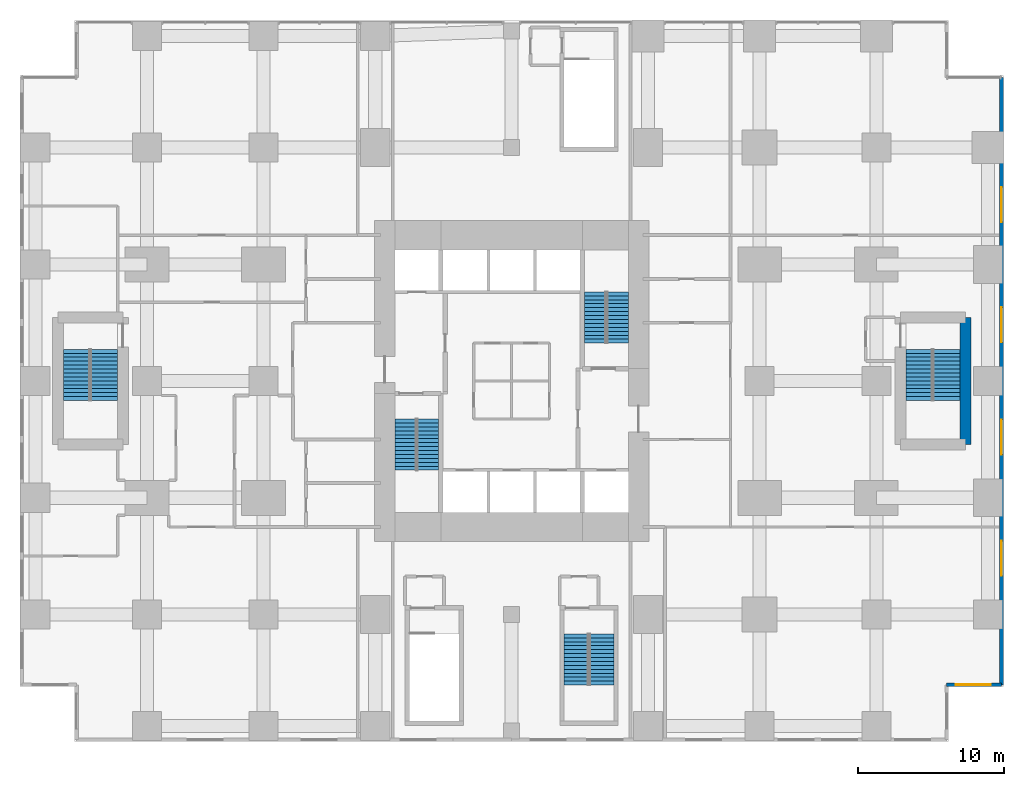
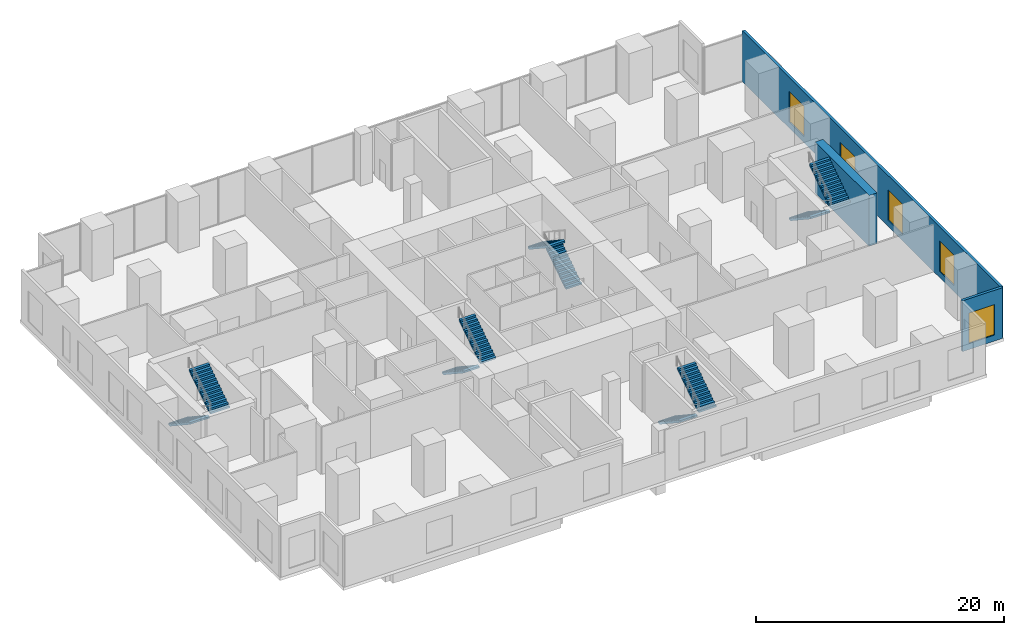
# One storey, part 10 of 11: 10 stair flights, 5 windows, 3 walls, 5 openings, 5 elements without a shape of their own.
"""IFC4 building model written with IfcOpenShell, lengths in metres."""

from ifc_helpers import new_model, si_unit, direction, frame, frame_2d, origin, place, context, subcontext, project, spatial, polyline, rectangle, outline, extrude, material, layer, layer_set, type_object, element, fill, aggregate, save


model = new_model("IFC4")

# Units and contexts
model_context = context("Model", 3, precision=1e-05, world=origin(), true_north=direction((0.0, 1.0)))
body_context = subcontext(model_context, "Body", "Model", "MODEL_VIEW")
ifc_project = project(units=[si_unit("LENGTHUNIT", "METRE"), si_unit("AREAUNIT", "SQUARE_METRE"), si_unit("VOLUMEUNIT", "CUBIC_METRE"), si_unit("PLANEANGLEUNIT", "RADIAN"), si_unit("MASSUNIT", "GRAM", prefix="KILO")], contexts=[model_context])

# Site, building, storey
site_placement = place(None, origin())
site = spatial("IfcSite", under=ifc_project, at=site_placement, CompositionType="ELEMENT")
building_placement = place(site_placement, origin())
building = spatial("IfcBuilding", under=site, at=building_placement, Name="Cleftline Residences", CompositionType="ELEMENT")
storey_placement = place(building_placement, frame((0.0, 0.0, 21.0)))
storey = spatial("IfcBuildingStorey", under=building, at=storey_placement, Name="L04", CompositionType="ELEMENT", Elevation=21.0)

# Wall, opening, window
ifc_material_1 = material(Name="Rendered reinforced concrete blockwork", Category="masonry")
ifc_layer_1 = layer(ifc_material_1, 0.25)
ifc_layer_set_1 = layer_set([ifc_layer_1], Name="EXTERNAL WALL 250")
wall_type_1 = type_object("IfcWallType", Name="EXTERNAL WALL 250", PredefinedType="SOLIDWALL", material=ifc_layer_set_1)
wall_1_placement = place(storey_placement, frame((62.824951171875, 3.175048828125, 0.0), z_axis=(0.0, 0.0, 1.0), x_axis=(1.0, 0.0, 0.0)))
wall_1 = element("IfcWall", 1, at=wall_1_placement, inside=storey, type_object=wall_type_1, Name="External wall", PredefinedType="SOLIDWALL", context=body_context, shape_type="SweptSolid", body=[
    extrude(rectangle(XDim=3.75, YDim=0.25, at=frame_2d((1.875, 0.0))), origin(), (0.0, 0.0, 1.0), 5.0),
])
opening_1_placement = place(wall_1_placement, frame((0.612548828125, 0.0, 0.60009765625)))
opening_1 = element("IfcOpeningElement", 2, at=opening_1_placement, cuts=wall_1, Name="Opening W3", PredefinedType="OPENING", context=body_context, shape_type="SweptSolid", body=[
    extrude(rectangle(XDim=2.39990234375, YDim=3.0, at=frame_2d((1.199951171875, 1.5))), frame((0.0, 0.135009765625, 0.0), z_axis=(0.0, -1.0, 0.0), x_axis=(1.0, 0.0, 0.0)), (0.0, 0.0, 1.0), 0.27001953125),
])
ifc_material_2 = material(Name="Aluminium frame, clear double glazing", Category="aluminium")
window_type = type_object("IfcWindowType", Name="WINDOW 2400X3000", PartitioningType="DOUBLE_PANEL_VERTICAL", PredefinedType="WINDOW", material=ifc_material_2)
window_1_placement = place(opening_1_placement, origin())
window_1 = element("IfcWindow", 3, at=window_1_placement, inside=storey, type_object=window_type, Name="Window", OverallHeight=3.0, OverallWidth=2.39990234375, PartitioningType="SINGLE_PANEL", PredefinedType="WINDOW", context=body_context, shape_type="SweptSolid", body=[
    extrude(rectangle(XDim=2.39990234375, YDim=3.0, at=frame_2d((1.199951171875, 1.5))), frame((0.0, 0.030029296875, 0.0), z_axis=(0.0, -1.0, 0.0), x_axis=(1.0, 0.0, 0.0)), (0.0, 0.0, 1.0), 0.06005859375),
])
fill(opening_1, window_1)

# Wall, openings, windows
wall_2_placement = place(storey_placement, frame((66.574951171875, 3.175048828125, 0.0), z_axis=(0.0, 0.0, 1.0), x_axis=(0.0, 1.0, 0.0)))
wall_2 = element("IfcWall", 4, at=wall_2_placement, inside=storey, type_object=wall_type_1, Name="External wall", PredefinedType="SOLIDWALL", context=body_context, shape_type="SweptSolid", body=[
    extrude(rectangle(XDim=41.64990234375, YDim=0.25, at=frame_2d((20.824951171875, 0.0))), origin(), (0.0, 0.0, 1.0), 5.0),
])
opening_2_placement = place(wall_2_placement, frame((7.47509765625, 0.0, 0.60009765625)))
opening_2 = element("IfcOpeningElement", 5, at=opening_2_placement, cuts=wall_2, Name="Opening W3", PredefinedType="OPENING", context=body_context, shape_type="SweptSolid", body=[
    extrude(rectangle(XDim=2.39990234375, YDim=3.0, at=frame_2d((1.199951171875, 1.5))), frame((0.0, 0.135009765625, 0.0), z_axis=(0.0, -1.0, 0.0), x_axis=(1.0, 0.0, 0.0)), (0.0, 0.0, 1.0), 0.27001953125),
])
opening_3_placement = place(wall_2_placement, frame((15.77490234375, 0.0, 0.60009765625)))
opening_3 = element("IfcOpeningElement", 6, at=opening_3_placement, cuts=wall_2, Name="Opening W3", PredefinedType="OPENING", context=body_context, shape_type="SweptSolid", body=[
    extrude(rectangle(XDim=2.39990234375, YDim=3.0, at=frame_2d((1.199951171875, 1.5))), frame((0.0, 0.135009765625, 0.0), z_axis=(0.0, -1.0, 0.0), x_axis=(1.0, 0.0, 0.0)), (0.0, 0.0, 1.0), 0.27001953125),
])
opening_4_placement = place(wall_2_placement, frame((23.47509765625, 0.0, 0.60009765625)))
opening_4 = element("IfcOpeningElement", 7, at=opening_4_placement, cuts=wall_2, Name="Opening W3", PredefinedType="OPENING", context=body_context, shape_type="SweptSolid", body=[
    extrude(rectangle(XDim=2.39990234375, YDim=3.0, at=frame_2d((1.199951171875, 1.5))), frame((0.0, 0.135009765625, 0.0), z_axis=(0.0, -1.0, 0.0), x_axis=(1.0, 0.0, 0.0)), (0.0, 0.0, 1.0), 0.27001953125),
])
opening_5_placement = place(wall_2_placement, frame((31.72509765625, 0.0, 0.60009765625)))
opening_5 = element("IfcOpeningElement", 8, at=opening_5_placement, cuts=wall_2, Name="Opening W3", PredefinedType="OPENING", context=body_context, shape_type="SweptSolid", body=[
    extrude(rectangle(XDim=2.39990234375, YDim=3.0, at=frame_2d((1.199951171875, 1.5))), frame((0.0, 0.135009765625, 0.0), z_axis=(0.0, -1.0, 0.0), x_axis=(1.0, 0.0, 0.0)), (0.0, 0.0, 1.0), 0.27001953125),
])
window_2_placement = place(opening_2_placement, origin())
window_2 = element("IfcWindow", 9, at=window_2_placement, inside=storey, type_object=window_type, Name="Window", OverallHeight=3.0, OverallWidth=2.39990234375, PartitioningType="SINGLE_PANEL", PredefinedType="WINDOW", context=body_context, shape_type="SweptSolid", body=[
    extrude(rectangle(XDim=2.39990234375, YDim=3.0, at=frame_2d((1.199951171875, 1.5))), frame((0.0, 0.030029296875, 0.0), z_axis=(0.0, -1.0, 0.0), x_axis=(1.0, 0.0, 0.0)), (0.0, 0.0, 1.0), 0.06005859375),
])
fill(opening_2, window_2)
window_3_placement = place(opening_3_placement, origin())
window_3 = element("IfcWindow", 10, at=window_3_placement, inside=storey, type_object=window_type, Name="Window", OverallHeight=3.0, OverallWidth=2.39990234375, PartitioningType="SINGLE_PANEL", PredefinedType="WINDOW", context=body_context, shape_type="SweptSolid", body=[
    extrude(rectangle(XDim=2.39990234375, YDim=3.0, at=frame_2d((1.199951171875, 1.5))), frame((0.0, 0.030029296875, 0.0), z_axis=(0.0, -1.0, 0.0), x_axis=(1.0, 0.0, 0.0)), (0.0, 0.0, 1.0), 0.06005859375),
])
fill(opening_3, window_3)
window_4_placement = place(opening_4_placement, origin())
window_4 = element("IfcWindow", 11, at=window_4_placement, inside=storey, type_object=window_type, Name="Window", OverallHeight=3.0, OverallWidth=2.39990234375, PartitioningType="SINGLE_PANEL", PredefinedType="WINDOW", context=body_context, shape_type="SweptSolid", body=[
    extrude(rectangle(XDim=2.39990234375, YDim=3.0, at=frame_2d((1.199951171875, 1.5))), frame((0.0, 0.030029296875, 0.0), z_axis=(0.0, -1.0, 0.0), x_axis=(1.0, 0.0, 0.0)), (0.0, 0.0, 1.0), 0.06005859375),
])
fill(opening_4, window_4)
window_5_placement = place(opening_5_placement, origin())
window_5 = element("IfcWindow", 12, at=window_5_placement, inside=storey, type_object=window_type, Name="Window", OverallHeight=3.0, OverallWidth=2.39990234375, PartitioningType="SINGLE_PANEL", PredefinedType="WINDOW", context=body_context, shape_type="SweptSolid", body=[
    extrude(rectangle(XDim=2.39990234375, YDim=3.0, at=frame_2d((1.199951171875, 1.5))), frame((0.0, 0.030029296875, 0.0), z_axis=(0.0, -1.0, 0.0), x_axis=(1.0, 0.0, 0.0)), (0.0, 0.0, 1.0), 0.06005859375),
])
fill(opening_5, window_5)

# Wall
ifc_material_3 = material(Name="Concrete B70", Category="concrete")
ifc_layer_2 = layer(ifc_material_3, 0.75)
ifc_layer_set_2 = layer_set([ifc_layer_2], Name="SHEAR WALL 750")
wall_type_2 = type_object("IfcWallType", Name="SHEAR WALL 750", PredefinedType="SHEAR", material=ifc_layer_set_2)
wall_3_placement = place(storey_placement, frame((64.10009765625, 19.64990234375, 0.0), z_axis=(0.0, 0.0, 1.0), x_axis=(0.0, 1.0, 0.0)))
element("IfcWall", 13, at=wall_3_placement, inside=storey, type_object=wall_type_2, Name="Wing shear wall", PredefinedType="SHEAR", context=body_context, shape_type="SweptSolid", body=[
    extrude(rectangle(XDim=8.7001953125, YDim=0.75, at=frame_2d((4.35009765625, 0.0))), origin(), (0.0, 0.0, 1.0), 5.0),
])

# Stair, stair flights
ifc_material_4 = material(Name="Concrete B45, stone treads", Category="masonry")
stair_type_1 = type_object("IfcStairType", Name="STAIR A 1450 WIDE 179 RISER", PredefinedType="HALF_TURN_STAIR", material=ifc_material_4)
stair_1_placement = place(storey_placement, origin())
stair_1 = element("IfcStair", 14, at=stair_1_placement, inside=storey, type_object=stair_type_1, Name="Stair A L04", PredefinedType="HALF_TURN_STAIR")
ifc_material_5 = material(Name="Concrete B45", Category="concrete")
stair_flight_type_1 = type_object("IfcStairFlightType", Name="STAIR A FLIGHT 1450X179", PredefinedType="STRAIGHT", material=ifc_material_5)
stair_flight_1_placement = place(storey_placement, frame((25.72509765625, 21.39990234375, 0.0), z_axis=(0.0, 0.0, 1.0), x_axis=(0.0, -1.0, 0.0)))
stair_flight_1 = element("IfcStairFlight", 15, at=stair_flight_1_placement, type_object=stair_flight_type_1, Name="ST-A flight 1", NumberOfRisers=14, NumberOfTreads=13, PredefinedType="STRAIGHT", RiserHeight=0.178571429, TreadLength=0.27, context=body_context, shape_type="SweptSolid", body=[
    extrude(outline(polyline([(0.0, 0.0), (0.0, 0.013671875), (0.0, 0.027587890625), (0.0, 0.041259765625), (0.0, 0.054931640625), (0.0, 0.068603515625), (0.0, 0.08251953125), (0.0, 0.09619140625), (0.0, 0.10986328125), (0.0, 0.12353515625), (0.0, 0.137451171875), (0.0, 0.151123046875), (0.0, 0.164794921875), (0.0, 0.178466796875), (0.27001953125, 0.178466796875), (0.27001953125, 0.357177734375), (0.5400390625, 0.357177734375), (0.5400390625, 0.53564453125), (0.81005859375, 0.53564453125), (0.81005859375, 0.71435546875), (1.080078125, 0.71435546875), (1.080078125, 0.892822265625), (1.35009765625, 0.892822265625), (1.35009765625, 1.071533203125), (1.6201171875, 1.071533203125), (1.6201171875, 1.25), (1.889892578125, 1.25), (1.889892578125, 1.428466796875), (2.159912109375, 1.428466796875), (2.159912109375, 1.607177734375), (2.429931640625, 1.607177734375), (2.429931640625, 1.78564453125), (2.699951171875, 1.78564453125), (2.699951171875, 1.96435546875), (2.969970703125, 1.96435546875), (2.969970703125, 2.142822265625), (3.239990234375, 2.142822265625), (3.239990234375, 2.321533203125), (3.510009765625, 2.321533203125), (3.510009765625, 2.5), (3.510009765625, 2.472412109375), (3.510009765625, 2.44482421875), (3.510009765625, 2.417236328125), (3.510009765625, 2.3896484375), (3.510009765625, 2.3623046875), (3.510009765625, 2.334716796875), (3.510009765625, 2.30712890625), (3.510009765625, 2.279541015625), (3.510009765625, 2.251953125), (3.510009765625, 2.224365234375), (3.510009765625, 2.19677734375), (3.510009765625, 2.169189453125), (3.510009765625, 2.1416015625), (0.271728515625, 0.0), (0.0, 0.0)])), frame((0.0, 0.72509765625, 0.0), z_axis=(0.0, -1.0, 0.0), x_axis=(1.0, 0.0, 0.0)), (0.0, 0.0, 1.0), 1.449951171875),
])
stair_flight_2_placement = place(storey_placement, frame((27.27490234375, 17.889892578125, 2.5), z_axis=(0.0, 0.0, 1.0), x_axis=(0.0, 1.0, 0.0)))
stair_flight_2 = element("IfcStairFlight", 16, at=stair_flight_2_placement, type_object=stair_flight_type_1, Name="ST-A flight 2", NumberOfRisers=14, NumberOfTreads=13, PredefinedType="STRAIGHT", RiserHeight=0.178571429, TreadLength=0.27, context=body_context, shape_type="SweptSolid", body=[
    extrude(outline(polyline([(0.0, 0.0), (0.0, 0.013671875), (0.0, 0.027587890625), (0.0, 0.041259765625), (0.0, 0.054931640625), (0.0, 0.068603515625), (0.0, 0.08251953125), (0.0, 0.09619140625), (0.0, 0.10986328125), (0.0, 0.12353515625), (0.0, 0.137451171875), (0.0, 0.151123046875), (0.0, 0.164794921875), (0.0, 0.178466796875), (0.27001953125, 0.178466796875), (0.27001953125, 0.357177734375), (0.5400390625, 0.357177734375), (0.5400390625, 0.53564453125), (0.81005859375, 0.53564453125), (0.81005859375, 0.71435546875), (1.080078125, 0.71435546875), (1.080078125, 0.892822265625), (1.35009765625, 0.892822265625), (1.35009765625, 1.071533203125), (1.6201171875, 1.071533203125), (1.6201171875, 1.25), (1.889892578125, 1.25), (1.889892578125, 1.428466796875), (2.159912109375, 1.428466796875), (2.159912109375, 1.607177734375), (2.429931640625, 1.607177734375), (2.429931640625, 1.78564453125), (2.699951171875, 1.78564453125), (2.699951171875, 1.96435546875), (2.969970703125, 1.96435546875), (2.969970703125, 2.142822265625), (3.239990234375, 2.142822265625), (3.239990234375, 2.321533203125), (3.510009765625, 2.321533203125), (3.510009765625, 2.5), (3.510009765625, 2.472412109375), (3.510009765625, 2.44482421875), (3.510009765625, 2.417236328125), (3.510009765625, 2.3896484375), (3.510009765625, 2.3623046875), (3.510009765625, 2.334716796875), (3.510009765625, 2.30712890625), (3.510009765625, 2.279541015625), (3.510009765625, 2.251953125), (3.510009765625, 2.224365234375), (3.510009765625, 2.19677734375), (3.510009765625, 2.169189453125), (3.510009765625, 2.1416015625), (0.271728515625, 0.0), (0.0, 0.0)])), frame((0.0, 0.72509765625, 0.0), z_axis=(0.0, -1.0, 0.0), x_axis=(1.0, 0.0, 0.0)), (0.0, 0.0, 1.0), 1.449951171875),
])
aggregate(stair_1, [stair_flight_1, stair_flight_2])

ifc_material_6 = material(Name="Concrete B45, stone treads", Category="masonry")
stair_type_2 = type_object("IfcStairType", Name="STAIR B 1450 WIDE 179 RISER", PredefinedType="HALF_TURN_STAIR", material=ifc_material_6)
stair_2_placement = place(storey_placement, origin())
stair_2 = element("IfcStair", 17, at=stair_2_placement, inside=storey, type_object=stair_type_2, Name="Stair B L04", PredefinedType="HALF_TURN_STAIR")
ifc_material_7 = material(Name="Concrete B45", Category="concrete")
stair_flight_type_2 = type_object("IfcStairFlightType", Name="STAIR B FLIGHT 1450X179", PredefinedType="STRAIGHT", material=ifc_material_7)
stair_flight_3_placement = place(storey_placement, frame((40.27490234375, 26.60009765625, 0.0), z_axis=(0.0, 0.0, 1.0), x_axis=(0.0, 1.0, 0.0)))
stair_flight_3 = element("IfcStairFlight", 18, at=stair_flight_3_placement, type_object=stair_flight_type_2, Name="ST-B flight 1", NumberOfRisers=14, NumberOfTreads=13, PredefinedType="STRAIGHT", RiserHeight=0.178571429, TreadLength=0.27, context=body_context, shape_type="SweptSolid", body=[
    extrude(outline(polyline([(0.0, 0.0), (0.0, 0.013671875), (0.0, 0.027587890625), (0.0, 0.041259765625), (0.0, 0.054931640625), (0.0, 0.068603515625), (0.0, 0.08251953125), (0.0, 0.09619140625), (0.0, 0.10986328125), (0.0, 0.12353515625), (0.0, 0.137451171875), (0.0, 0.151123046875), (0.0, 0.164794921875), (0.0, 0.178466796875), (0.27001953125, 0.178466796875), (0.27001953125, 0.357177734375), (0.5400390625, 0.357177734375), (0.5400390625, 0.53564453125), (0.81005859375, 0.53564453125), (0.81005859375, 0.71435546875), (1.080078125, 0.71435546875), (1.080078125, 0.892822265625), (1.35009765625, 0.892822265625), (1.35009765625, 1.071533203125), (1.6201171875, 1.071533203125), (1.6201171875, 1.25), (1.889892578125, 1.25), (1.889892578125, 1.428466796875), (2.159912109375, 1.428466796875), (2.159912109375, 1.607177734375), (2.429931640625, 1.607177734375), (2.429931640625, 1.78564453125), (2.699951171875, 1.78564453125), (2.699951171875, 1.96435546875), (2.969970703125, 1.96435546875), (2.969970703125, 2.142822265625), (3.239990234375, 2.142822265625), (3.239990234375, 2.321533203125), (3.510009765625, 2.321533203125), (3.510009765625, 2.5), (3.510009765625, 2.472412109375), (3.510009765625, 2.44482421875), (3.510009765625, 2.417236328125), (3.510009765625, 2.3896484375), (3.510009765625, 2.3623046875), (3.510009765625, 2.334716796875), (3.510009765625, 2.30712890625), (3.510009765625, 2.279541015625), (3.510009765625, 2.251953125), (3.510009765625, 2.224365234375), (3.510009765625, 2.19677734375), (3.510009765625, 2.169189453125), (3.510009765625, 2.1416015625), (0.271728515625, 0.0), (0.0, 0.0)])), frame((0.0, 0.72509765625, 0.0), z_axis=(0.0, -1.0, 0.0), x_axis=(1.0, 0.0, 0.0)), (0.0, 0.0, 1.0), 1.449951171875),
])
stair_flight_4_placement = place(storey_placement, frame((38.72509765625, 30.110107421875, 2.5), z_axis=(0.0, 0.0, 1.0), x_axis=(0.0, -1.0, 0.0)))
stair_flight_4 = element("IfcStairFlight", 19, at=stair_flight_4_placement, type_object=stair_flight_type_2, Name="ST-B flight 2", NumberOfRisers=14, NumberOfTreads=13, PredefinedType="STRAIGHT", RiserHeight=0.178571429, TreadLength=0.27, context=body_context, shape_type="SweptSolid", body=[
    extrude(outline(polyline([(0.0, 0.0), (0.0, 0.013671875), (0.0, 0.027587890625), (0.0, 0.041259765625), (0.0, 0.054931640625), (0.0, 0.068603515625), (0.0, 0.08251953125), (0.0, 0.09619140625), (0.0, 0.10986328125), (0.0, 0.12353515625), (0.0, 0.137451171875), (0.0, 0.151123046875), (0.0, 0.164794921875), (0.0, 0.178466796875), (0.27001953125, 0.178466796875), (0.27001953125, 0.357177734375), (0.5400390625, 0.357177734375), (0.5400390625, 0.53564453125), (0.81005859375, 0.53564453125), (0.81005859375, 0.71435546875), (1.080078125, 0.71435546875), (1.080078125, 0.892822265625), (1.35009765625, 0.892822265625), (1.35009765625, 1.071533203125), (1.6201171875, 1.071533203125), (1.6201171875, 1.25), (1.889892578125, 1.25), (1.889892578125, 1.428466796875), (2.159912109375, 1.428466796875), (2.159912109375, 1.607177734375), (2.429931640625, 1.607177734375), (2.429931640625, 1.78564453125), (2.699951171875, 1.78564453125), (2.699951171875, 1.96435546875), (2.969970703125, 1.96435546875), (2.969970703125, 2.142822265625), (3.239990234375, 2.142822265625), (3.239990234375, 2.321533203125), (3.510009765625, 2.321533203125), (3.510009765625, 2.5), (3.510009765625, 2.472412109375), (3.510009765625, 2.44482421875), (3.510009765625, 2.417236328125), (3.510009765625, 2.3896484375), (3.510009765625, 2.3623046875), (3.510009765625, 2.334716796875), (3.510009765625, 2.30712890625), (3.510009765625, 2.279541015625), (3.510009765625, 2.251953125), (3.510009765625, 2.224365234375), (3.510009765625, 2.19677734375), (3.510009765625, 2.169189453125), (3.510009765625, 2.1416015625), (0.271728515625, 0.0), (0.0, 0.0)])), frame((0.0, 0.72509765625, 0.0), z_axis=(0.0, -1.0, 0.0), x_axis=(1.0, 0.0, 0.0)), (0.0, 0.0, 1.0), 1.449951171875),
])
aggregate(stair_2, [stair_flight_3, stair_flight_4])

ifc_material_8 = material(Name="Concrete B45, stone treads", Category="masonry")
stair_type_3 = type_object("IfcStairType", Name="STAIR C2 1630 WIDE 179 RISER", PredefinedType="HALF_TURN_STAIR", material=ifc_material_8)
stair_3_placement = place(storey_placement, origin())
stair_3 = element("IfcStair", 20, at=stair_3_placement, inside=storey, type_object=stair_type_3, Name="Stair C2 L04", PredefinedType="HALF_TURN_STAIR")
ifc_material_9 = material(Name="Concrete B45", Category="concrete")
stair_flight_type_3 = type_object("IfcStairFlightType", Name="STAIR C2 FLIGHT 1630X179", PredefinedType="STRAIGHT", material=ifc_material_9)
stair_flight_5_placement = place(storey_placement, frame((37.4150390625, 6.669921875, 0.0), z_axis=(0.0, 0.0, 1.0), x_axis=(0.0, -1.0, 0.0)))
stair_flight_5 = element("IfcStairFlight", 21, at=stair_flight_5_placement, type_object=stair_flight_type_3, Name="ST-C2 flight 1", NumberOfRisers=14, NumberOfTreads=13, PredefinedType="STRAIGHT", RiserHeight=0.178571429, TreadLength=0.27, context=body_context, shape_type="SweptSolid", body=[
    extrude(outline(polyline([(0.0, 0.0), (0.0, 0.013671875), (0.0, 0.027587890625), (0.0, 0.041259765625), (0.0, 0.054931640625), (0.0, 0.068603515625), (0.0, 0.08251953125), (0.0, 0.09619140625), (0.0, 0.10986328125), (0.0, 0.12353515625), (0.0, 0.137451171875), (0.0, 0.151123046875), (0.0, 0.164794921875), (0.0, 0.178466796875), (0.27001953125, 0.178466796875), (0.27001953125, 0.357177734375), (0.5400390625, 0.357177734375), (0.5400390625, 0.53564453125), (0.81005859375, 0.53564453125), (0.81005859375, 0.71435546875), (1.080078125, 0.71435546875), (1.080078125, 0.892822265625), (1.35009765625, 0.892822265625), (1.35009765625, 1.071533203125), (1.6201171875, 1.071533203125), (1.6201171875, 1.25), (1.889892578125, 1.25), (1.889892578125, 1.428466796875), (2.159912109375, 1.428466796875), (2.159912109375, 1.607177734375), (2.429931640625, 1.607177734375), (2.429931640625, 1.78564453125), (2.699951171875, 1.78564453125), (2.699951171875, 1.96435546875), (2.969970703125, 1.96435546875), (2.969970703125, 2.142822265625), (3.239990234375, 2.142822265625), (3.239990234375, 2.321533203125), (3.510009765625, 2.321533203125), (3.510009765625, 2.5), (3.510009765625, 2.472412109375), (3.510009765625, 2.44482421875), (3.510009765625, 2.417236328125), (3.510009765625, 2.3896484375), (3.510009765625, 2.3623046875), (3.510009765625, 2.334716796875), (3.510009765625, 2.30712890625), (3.510009765625, 2.279541015625), (3.510009765625, 2.251953125), (3.510009765625, 2.224365234375), (3.510009765625, 2.19677734375), (3.510009765625, 2.169189453125), (3.510009765625, 2.1416015625), (0.271728515625, 0.0), (0.0, 0.0)])), frame((0.0, 0.81494140625, 0.0), z_axis=(0.0, -1.0, 0.0), x_axis=(1.0, 0.0, 0.0)), (0.0, 0.0, 1.0), 1.6298828125),
])
stair_flight_6_placement = place(storey_placement, frame((39.18505859375, 3.159912109375, 2.5), z_axis=(0.0, 0.0, 1.0), x_axis=(0.0, 1.0, 0.0)))
stair_flight_6 = element("IfcStairFlight", 22, at=stair_flight_6_placement, type_object=stair_flight_type_3, Name="ST-C2 flight 2", NumberOfRisers=14, NumberOfTreads=13, PredefinedType="STRAIGHT", RiserHeight=0.178571429, TreadLength=0.27, context=body_context, shape_type="SweptSolid", body=[
    extrude(outline(polyline([(0.0, 0.0), (0.0, 0.013671875), (0.0, 0.027587890625), (0.0, 0.041259765625), (0.0, 0.054931640625), (0.0, 0.068603515625), (0.0, 0.08251953125), (0.0, 0.09619140625), (0.0, 0.10986328125), (0.0, 0.12353515625), (0.0, 0.137451171875), (0.0, 0.151123046875), (0.0, 0.164794921875), (0.0, 0.178466796875), (0.27001953125, 0.178466796875), (0.27001953125, 0.357177734375), (0.5400390625, 0.357177734375), (0.5400390625, 0.53564453125), (0.81005859375, 0.53564453125), (0.81005859375, 0.71435546875), (1.080078125, 0.71435546875), (1.080078125, 0.892822265625), (1.35009765625, 0.892822265625), (1.35009765625, 1.071533203125), (1.6201171875, 1.071533203125), (1.6201171875, 1.25), (1.889892578125, 1.25), (1.889892578125, 1.428466796875), (2.159912109375, 1.428466796875), (2.159912109375, 1.607177734375), (2.429931640625, 1.607177734375), (2.429931640625, 1.78564453125), (2.699951171875, 1.78564453125), (2.699951171875, 1.96435546875), (2.969970703125, 1.96435546875), (2.969970703125, 2.142822265625), (3.239990234375, 2.142822265625), (3.239990234375, 2.321533203125), (3.510009765625, 2.321533203125), (3.510009765625, 2.5), (3.510009765625, 2.472412109375), (3.510009765625, 2.44482421875), (3.510009765625, 2.417236328125), (3.510009765625, 2.3896484375), (3.510009765625, 2.3623046875), (3.510009765625, 2.334716796875), (3.510009765625, 2.30712890625), (3.510009765625, 2.279541015625), (3.510009765625, 2.251953125), (3.510009765625, 2.224365234375), (3.510009765625, 2.19677734375), (3.510009765625, 2.169189453125), (3.510009765625, 2.1416015625), (0.271728515625, 0.0), (0.0, 0.0)])), frame((0.0, 0.81494140625, 0.0), z_axis=(0.0, -1.0, 0.0), x_axis=(1.0, 0.0, 0.0)), (0.0, 0.0, 1.0), 1.6298828125),
])
aggregate(stair_3, [stair_flight_5, stair_flight_6])

ifc_material_10 = material(Name="Concrete B45, stone treads", Category="masonry")
stair_type_4 = type_object("IfcStairType", Name="STAIR E 1800 WIDE 179 RISER", PredefinedType="HALF_TURN_STAIR", material=ifc_material_10)
stair_4_placement = place(storey_placement, origin())
stair_4 = element("IfcStair", 23, at=stair_4_placement, inside=storey, type_object=stair_type_4, Name="Stair E L04", PredefinedType="HALF_TURN_STAIR")
ifc_material_11 = material(Name="Concrete B45", Category="concrete")
stair_flight_type_4 = type_object("IfcStairFlightType", Name="STAIR E FLIGHT 1800X179", PredefinedType="STRAIGHT", material=ifc_material_11)
stair_flight_7_placement = place(storey_placement, frame((60.925048828125, 26.175048828125, 0.0), z_axis=(0.0, 0.0, 1.0), x_axis=(0.0, -1.0, 0.0)))
stair_flight_7 = element("IfcStairFlight", 24, at=stair_flight_7_placement, type_object=stair_flight_type_4, Name="ST-E flight 1", NumberOfRisers=14, NumberOfTreads=13, PredefinedType="STRAIGHT", RiserHeight=0.178571429, TreadLength=0.27, context=body_context, shape_type="SweptSolid", body=[
    extrude(outline(polyline([(0.0, 0.0), (0.0, 0.013671875), (0.0, 0.027587890625), (0.0, 0.041259765625), (0.0, 0.054931640625), (0.0, 0.068603515625), (0.0, 0.08251953125), (0.0, 0.09619140625), (0.0, 0.10986328125), (0.0, 0.12353515625), (0.0, 0.137451171875), (0.0, 0.151123046875), (0.0, 0.164794921875), (0.0, 0.178466796875), (0.27001953125, 0.178466796875), (0.27001953125, 0.357177734375), (0.5400390625, 0.357177734375), (0.5400390625, 0.53564453125), (0.81005859375, 0.53564453125), (0.81005859375, 0.71435546875), (1.080078125, 0.71435546875), (1.080078125, 0.892822265625), (1.35009765625, 0.892822265625), (1.35009765625, 1.071533203125), (1.6201171875, 1.071533203125), (1.6201171875, 1.25), (1.889892578125, 1.25), (1.889892578125, 1.428466796875), (2.159912109375, 1.428466796875), (2.159912109375, 1.607177734375), (2.429931640625, 1.607177734375), (2.429931640625, 1.78564453125), (2.699951171875, 1.78564453125), (2.699951171875, 1.96435546875), (2.969970703125, 1.96435546875), (2.969970703125, 2.142822265625), (3.239990234375, 2.142822265625), (3.239990234375, 2.321533203125), (3.510009765625, 2.321533203125), (3.510009765625, 2.5), (3.510009765625, 2.472412109375), (3.510009765625, 2.44482421875), (3.510009765625, 2.417236328125), (3.510009765625, 2.3896484375), (3.510009765625, 2.3623046875), (3.510009765625, 2.334716796875), (3.510009765625, 2.30712890625), (3.510009765625, 2.279541015625), (3.510009765625, 2.251953125), (3.510009765625, 2.224365234375), (3.510009765625, 2.19677734375), (3.510009765625, 2.169189453125), (3.510009765625, 2.1416015625), (0.271728515625, 0.0), (0.0, 0.0)])), frame((0.0, 0.89990234375, 0.0), z_axis=(0.0, -1.0, 0.0), x_axis=(1.0, 0.0, 0.0)), (0.0, 0.0, 1.0), 1.800048828125),
])
stair_flight_8_placement = place(storey_placement, frame((62.824951171875, 22.6650390625, 2.5), z_axis=(0.0, 0.0, 1.0), x_axis=(0.0, 1.0, 0.0)))
stair_flight_8 = element("IfcStairFlight", 25, at=stair_flight_8_placement, type_object=stair_flight_type_4, Name="ST-E flight 2", NumberOfRisers=14, NumberOfTreads=13, PredefinedType="STRAIGHT", RiserHeight=0.178571429, TreadLength=0.27, context=body_context, shape_type="SweptSolid", body=[
    extrude(outline(polyline([(0.0, 0.0), (0.0, 0.013671875), (0.0, 0.027587890625), (0.0, 0.041259765625), (0.0, 0.054931640625), (0.0, 0.068603515625), (0.0, 0.08251953125), (0.0, 0.09619140625), (0.0, 0.10986328125), (0.0, 0.12353515625), (0.0, 0.137451171875), (0.0, 0.151123046875), (0.0, 0.164794921875), (0.0, 0.178466796875), (0.27001953125, 0.178466796875), (0.27001953125, 0.357177734375), (0.5400390625, 0.357177734375), (0.5400390625, 0.53564453125), (0.81005859375, 0.53564453125), (0.81005859375, 0.71435546875), (1.080078125, 0.71435546875), (1.080078125, 0.892822265625), (1.35009765625, 0.892822265625), (1.35009765625, 1.071533203125), (1.6201171875, 1.071533203125), (1.6201171875, 1.25), (1.889892578125, 1.25), (1.889892578125, 1.428466796875), (2.159912109375, 1.428466796875), (2.159912109375, 1.607177734375), (2.429931640625, 1.607177734375), (2.429931640625, 1.78564453125), (2.699951171875, 1.78564453125), (2.699951171875, 1.96435546875), (2.969970703125, 1.96435546875), (2.969970703125, 2.142822265625), (3.239990234375, 2.142822265625), (3.239990234375, 2.321533203125), (3.510009765625, 2.321533203125), (3.510009765625, 2.5), (3.510009765625, 2.472412109375), (3.510009765625, 2.44482421875), (3.510009765625, 2.417236328125), (3.510009765625, 2.3896484375), (3.510009765625, 2.3623046875), (3.510009765625, 2.334716796875), (3.510009765625, 2.30712890625), (3.510009765625, 2.279541015625), (3.510009765625, 2.251953125), (3.510009765625, 2.224365234375), (3.510009765625, 2.19677734375), (3.510009765625, 2.169189453125), (3.510009765625, 2.1416015625), (0.271728515625, 0.0), (0.0, 0.0)])), frame((0.0, 0.89990234375, 0.0), z_axis=(0.0, -1.0, 0.0), x_axis=(1.0, 0.0, 0.0)), (0.0, 0.0, 1.0), 1.800048828125),
])
aggregate(stair_4, [stair_flight_7, stair_flight_8])

ifc_material_12 = material(Name="Concrete B45, stone treads", Category="masonry")
stair_type_5 = type_object("IfcStairType", Name="STAIR W 1800 WIDE 179 RISER", PredefinedType="HALF_TURN_STAIR", material=ifc_material_12)
stair_5_placement = place(storey_placement, origin())
stair_5 = element("IfcStair", 26, at=stair_5_placement, inside=storey, type_object=stair_type_5, Name="Stair W L04", PredefinedType="HALF_TURN_STAIR")
ifc_material_13 = material(Name="Concrete B45", Category="concrete")
stair_flight_type_5 = type_object("IfcStairFlightType", Name="STAIR W FLIGHT 1800X179", PredefinedType="STRAIGHT", material=ifc_material_13)
stair_flight_9_placement = place(storey_placement, frame((3.175048828125, 26.175048828125, 0.0), z_axis=(0.0, 0.0, 1.0), x_axis=(0.0, -1.0, 0.0)))
stair_flight_9 = element("IfcStairFlight", 27, at=stair_flight_9_placement, type_object=stair_flight_type_5, Name="ST-W flight 1", NumberOfRisers=14, NumberOfTreads=13, PredefinedType="STRAIGHT", RiserHeight=0.178571429, TreadLength=0.27, context=body_context, shape_type="SweptSolid", body=[
    extrude(outline(polyline([(0.0, 0.0), (0.0, 0.013671875), (0.0, 0.027587890625), (0.0, 0.041259765625), (0.0, 0.054931640625), (0.0, 0.068603515625), (0.0, 0.08251953125), (0.0, 0.09619140625), (0.0, 0.10986328125), (0.0, 0.12353515625), (0.0, 0.137451171875), (0.0, 0.151123046875), (0.0, 0.164794921875), (0.0, 0.178466796875), (0.27001953125, 0.178466796875), (0.27001953125, 0.357177734375), (0.5400390625, 0.357177734375), (0.5400390625, 0.53564453125), (0.81005859375, 0.53564453125), (0.81005859375, 0.71435546875), (1.080078125, 0.71435546875), (1.080078125, 0.892822265625), (1.35009765625, 0.892822265625), (1.35009765625, 1.071533203125), (1.6201171875, 1.071533203125), (1.6201171875, 1.25), (1.889892578125, 1.25), (1.889892578125, 1.428466796875), (2.159912109375, 1.428466796875), (2.159912109375, 1.607177734375), (2.429931640625, 1.607177734375), (2.429931640625, 1.78564453125), (2.699951171875, 1.78564453125), (2.699951171875, 1.96435546875), (2.969970703125, 1.96435546875), (2.969970703125, 2.142822265625), (3.239990234375, 2.142822265625), (3.239990234375, 2.321533203125), (3.510009765625, 2.321533203125), (3.510009765625, 2.5), (3.510009765625, 2.472412109375), (3.510009765625, 2.44482421875), (3.510009765625, 2.417236328125), (3.510009765625, 2.3896484375), (3.510009765625, 2.3623046875), (3.510009765625, 2.334716796875), (3.510009765625, 2.30712890625), (3.510009765625, 2.279541015625), (3.510009765625, 2.251953125), (3.510009765625, 2.224365234375), (3.510009765625, 2.19677734375), (3.510009765625, 2.169189453125), (3.510009765625, 2.1416015625), (0.271728515625, 0.0), (0.0, 0.0)])), frame((0.0, 0.89990234375, 0.0), z_axis=(0.0, -1.0, 0.0), x_axis=(1.0, 0.0, 0.0)), (0.0, 0.0, 1.0), 1.800048828125),
])
stair_flight_10_placement = place(storey_placement, frame((5.074951171875, 22.6650390625, 2.5), z_axis=(0.0, 0.0, 1.0), x_axis=(0.0, 1.0, 0.0)))
stair_flight_10 = element("IfcStairFlight", 28, at=stair_flight_10_placement, type_object=stair_flight_type_5, Name="ST-W flight 2", NumberOfRisers=14, NumberOfTreads=13, PredefinedType="STRAIGHT", RiserHeight=0.178571429, TreadLength=0.27, context=body_context, shape_type="SweptSolid", body=[
    extrude(outline(polyline([(0.0, 0.0), (0.0, 0.013671875), (0.0, 0.027587890625), (0.0, 0.041259765625), (0.0, 0.054931640625), (0.0, 0.068603515625), (0.0, 0.08251953125), (0.0, 0.09619140625), (0.0, 0.10986328125), (0.0, 0.12353515625), (0.0, 0.137451171875), (0.0, 0.151123046875), (0.0, 0.164794921875), (0.0, 0.178466796875), (0.27001953125, 0.178466796875), (0.27001953125, 0.357177734375), (0.5400390625, 0.357177734375), (0.5400390625, 0.53564453125), (0.81005859375, 0.53564453125), (0.81005859375, 0.71435546875), (1.080078125, 0.71435546875), (1.080078125, 0.892822265625), (1.35009765625, 0.892822265625), (1.35009765625, 1.071533203125), (1.6201171875, 1.071533203125), (1.6201171875, 1.25), (1.889892578125, 1.25), (1.889892578125, 1.428466796875), (2.159912109375, 1.428466796875), (2.159912109375, 1.607177734375), (2.429931640625, 1.607177734375), (2.429931640625, 1.78564453125), (2.699951171875, 1.78564453125), (2.699951171875, 1.96435546875), (2.969970703125, 1.96435546875), (2.969970703125, 2.142822265625), (3.239990234375, 2.142822265625), (3.239990234375, 2.321533203125), (3.510009765625, 2.321533203125), (3.510009765625, 2.5), (3.510009765625, 2.472412109375), (3.510009765625, 2.44482421875), (3.510009765625, 2.417236328125), (3.510009765625, 2.3896484375), (3.510009765625, 2.3623046875), (3.510009765625, 2.334716796875), (3.510009765625, 2.30712890625), (3.510009765625, 2.279541015625), (3.510009765625, 2.251953125), (3.510009765625, 2.224365234375), (3.510009765625, 2.19677734375), (3.510009765625, 2.169189453125), (3.510009765625, 2.1416015625), (0.271728515625, 0.0), (0.0, 0.0)])), frame((0.0, 0.89990234375, 0.0), z_axis=(0.0, -1.0, 0.0), x_axis=(1.0, 0.0, 0.0)), (0.0, 0.0, 1.0), 1.800048828125),
])
aggregate(stair_5, [stair_flight_9, stair_flight_10])

save(model, "model.ifc")
